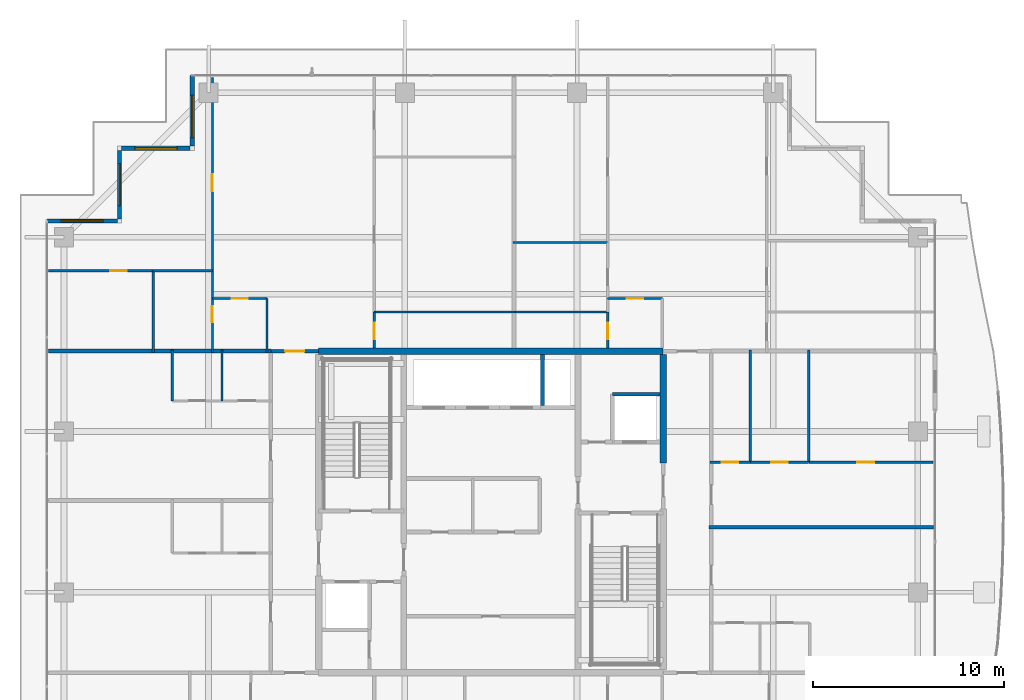
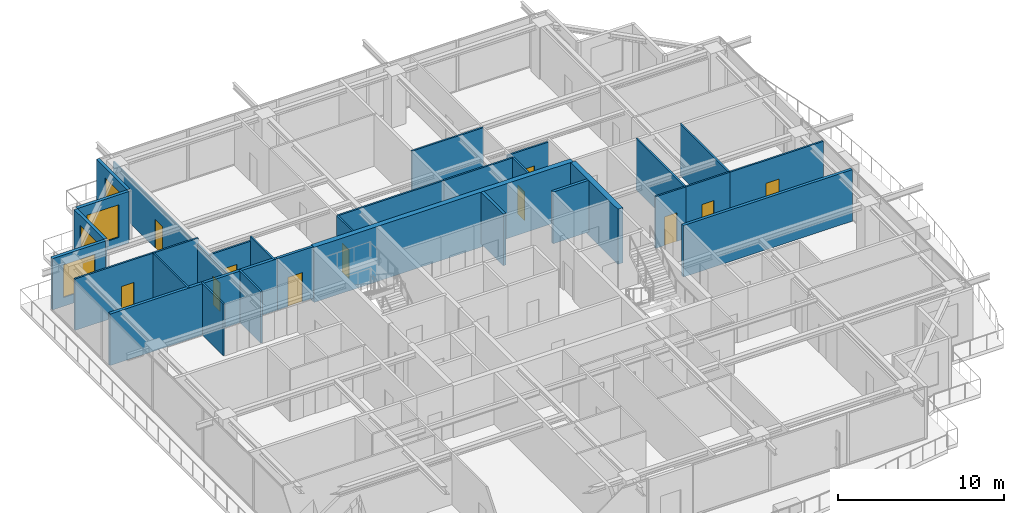
# One storey, part 34 of 42: 31 walls, 11 doors, 4 windows, 15 openings.
"""IFC4 building model written with IfcOpenShell, lengths in metres."""

from ifc_helpers import new_model, si_unit, direction, frame, frame_2d, origin, place, context, subcontext, project, spatial, rectangle, extrude, source, transform, mapped, material, layer, layer_set, type_object, element, fill, save


model = new_model("IFC4")

# Units and contexts
model_context = context("Model", 3, precision=1e-05, world=origin(), true_north=direction((0.0, 1.0)))
body_context = subcontext(model_context, "Body", "Model", "MODEL_VIEW")
ifc_project = project(units=[si_unit("LENGTHUNIT", "METRE"), si_unit("AREAUNIT", "SQUARE_METRE"), si_unit("VOLUMEUNIT", "CUBIC_METRE"), si_unit("PLANEANGLEUNIT", "RADIAN"), si_unit("MASSUNIT", "GRAM", prefix="KILO")], contexts=[model_context])

# Site, building, storey
site_placement = place(None, origin())
site = spatial("IfcSite", under=ifc_project, at=site_placement, CompositionType="ELEMENT")
building_placement = place(site_placement, origin())
building = spatial("IfcBuilding", under=site, at=building_placement, Name="Serunith Strait Residences", CompositionType="ELEMENT")
storey_placement = place(building_placement, frame((0.0, 0.0, 325.85009765625)))
storey = spatial("IfcBuildingStorey", under=building, at=storey_placement, Name="L81", CompositionType="ELEMENT", Elevation=325.85009765625)

# Wall, opening, window
ifc_material_1 = material(Name="Pale-Champagne Aluminium Insulated Panel", Category="aluminium")
ifc_layer_1 = layer(ifc_material_1, 0.219970703125, Name="Pale-Champagne Aluminium Insulated Panel")
ifc_layer_set_1 = layer_set([ifc_layer_1], Name="Pale-Champagne Aluminium Insulated Panel")
wall_type_1 = type_object("IfcWallType", Name="EW-ALUM-220", PredefinedType="ELEMENTEDWALL", material=ifc_layer_set_1)
wall_1_placement = place(storey_placement, frame((16.800048828125, 48.0, 0.0), z_axis=(0.0, 0.0, 1.0), x_axis=(0.0, -1.0, 0.0)))
wall_1 = element("IfcWall", 1, at=wall_1_placement, inside=storey, type_object=wall_type_1, Name="L81 Girih Serrated Corner Wall 12", PredefinedType="ELEMENTEDWALL", context=body_context, shape_type="SweptSolid", body=[
    extrude(rectangle(XDim=3.68994140625, YDim=0.219970703125, at=frame_2d((1.844970703125, 0.0))), origin(), (0.0, 0.0, 1.0), 3.77490234375),
])
opening_1_placement = place(wall_1_placement, frame((1.04296875, 0.0, 0.64990234375)))
opening_1 = element("IfcOpeningElement", 2, at=opening_1_placement, cuts=wall_1, Name="Opening W-06", PredefinedType="OPENING", context=body_context, shape_type="SweptSolid", body=[
    extrude(rectangle(XDim=2.199951171875, YDim=2.39990234375, at=frame_2d((1.10009765625, 1.199951171875))), frame((0.0, 0.1201171875, 0.0), z_axis=(0.0, -1.0, 0.0), x_axis=(1.0, 0.0, 0.0)), (0.0, 0.0, 1.0), 0.239990234375),
])
ifc_material_2 = material(Name="Crown Penthouse Low-E Operable Window Glass", Category="glass")
window_type = type_object("IfcWindowType", Name="WIN-C6", PartitioningType="TRIPLE_PANEL_VERTICAL", PredefinedType="WINDOW", material=ifc_material_2)
shared_shape_1 = source(origin(), body_context, "Body", "SweptSolid", [
    extrude(rectangle(XDim=2.199951171875, YDim=2.39990234375, at=frame_2d((1.10009765625, 1.199951171875))), frame((0.0, 0.030029296875, 0.0), z_axis=(0.0, -1.0, 0.0), x_axis=(1.0, 0.0, 0.0)), (0.0, 0.0, 1.0), 0.06005859375),
])
window_1_placement = place(opening_1_placement, origin())
window_1 = element("IfcWindow", 3, at=window_1_placement, inside=storey, type_object=window_type, Name="L81 Corner Operable Fritted Window 12", OverallHeight=2.39990234375, OverallWidth=2.199951171875, PartitioningType="SINGLE_PANEL", PredefinedType="WINDOW", context=body_context, shape_type="MappedRepresentation", body=[
    mapped(shared_shape_1, transform((0.0, 0.0, 0.0), scale=1.0)),
])
fill(opening_1, window_1)

wall_2_placement = place(storey_placement, frame((16.68994140625, 44.199951171875, 0.0), z_axis=(0.0, 0.0, 1.0), x_axis=(-1.0, 0.0, 0.0)))
wall_2 = element("IfcWall", 4, at=wall_2_placement, inside=storey, type_object=wall_type_1, Name="L81 Girih Serrated Corner Wall 13", PredefinedType="ELEMENTEDWALL", context=body_context, shape_type="SweptSolid", body=[
    extrude(rectangle(XDim=3.579833984375, YDim=0.219970703125, at=frame_2d((1.7900390625, 0.0))), origin(), (0.0, 0.0, 1.0), 3.77490234375),
])
opening_2_placement = place(wall_2_placement, frame((0.68994140625, 0.0, 0.64990234375)))
opening_2 = element("IfcOpeningElement", 5, at=opening_2_placement, cuts=wall_2, Name="Opening W-06", PredefinedType="OPENING", context=body_context, shape_type="SweptSolid", body=[
    extrude(rectangle(XDim=2.199951171875, YDim=2.39990234375, at=frame_2d((1.10009765625, 1.199951171875))), frame((0.0, 0.1201171875, 0.0), z_axis=(0.0, -1.0, 0.0), x_axis=(1.0, 0.0, 0.0)), (0.0, 0.0, 1.0), 0.239990234375),
])
window_2_placement = place(opening_2_placement, origin())
window_2 = element("IfcWindow", 6, at=window_2_placement, inside=storey, type_object=window_type, Name="L81 Corner Operable Fritted Window 13", OverallHeight=2.39990234375, OverallWidth=2.199951171875, PartitioningType="SINGLE_PANEL", PredefinedType="WINDOW", context=body_context, shape_type="MappedRepresentation", body=[
    mapped(shared_shape_1, transform((0.0, 0.0, 0.0), scale=1.0)),
])
fill(opening_2, window_2)

wall_3_placement = place(storey_placement, frame((13.0, 44.090087890625, 0.0), z_axis=(0.0, 0.0, 1.0), x_axis=(0.0, -1.0, 0.0)))
wall_3 = element("IfcWall", 7, at=wall_3_placement, inside=storey, type_object=wall_type_1, Name="L81 Girih Serrated Corner Wall 14", PredefinedType="ELEMENTEDWALL", context=body_context, shape_type="SweptSolid", body=[
    extrude(rectangle(XDim=3.580078125, YDim=0.219970703125, at=frame_2d((1.7900390625, 0.0))), origin(), (0.0, 0.0, 1.0), 3.77490234375),
])
opening_3_placement = place(wall_3_placement, frame((0.68994140625, 0.0, 0.64990234375)))
opening_3 = element("IfcOpeningElement", 8, at=opening_3_placement, cuts=wall_3, Name="Opening W-06", PredefinedType="OPENING", context=body_context, shape_type="SweptSolid", body=[
    extrude(rectangle(XDim=2.199951171875, YDim=2.39990234375, at=frame_2d((1.10009765625, 1.199951171875))), frame((0.0, 0.1201171875, 0.0), z_axis=(0.0, -1.0, 0.0), x_axis=(1.0, 0.0, 0.0)), (0.0, 0.0, 1.0), 0.239990234375),
])
window_3_placement = place(opening_3_placement, origin())
window_3 = element("IfcWindow", 9, at=window_3_placement, inside=storey, type_object=window_type, Name="L81 Corner Operable Fritted Window 14", OverallHeight=2.39990234375, OverallWidth=2.199951171875, PartitioningType="SINGLE_PANEL", PredefinedType="WINDOW", context=body_context, shape_type="MappedRepresentation", body=[
    mapped(shared_shape_1, transform((0.0, 0.0, 0.0), scale=1.0)),
])
fill(opening_3, window_3)

wall_4_placement = place(storey_placement, frame((12.889892578125, 40.39990234375, 0.0), z_axis=(0.0, 0.0, 1.0), x_axis=(-1.0, 0.0, 0.0)))
wall_4 = element("IfcWall", 10, at=wall_4_placement, inside=storey, type_object=wall_type_1, Name="L81 Girih Serrated Corner Wall 15", PredefinedType="ELEMENTEDWALL", context=body_context, shape_type="SweptSolid", body=[
    extrude(rectangle(XDim=3.68994140625, YDim=0.219970703125, at=frame_2d((1.844970703125, 0.0))), origin(), (0.0, 0.0, 1.0), 3.77490234375),
])
opening_4_placement = place(wall_4_placement, frame((0.7451171875, 0.0, 0.64990234375)))
opening_4 = element("IfcOpeningElement", 11, at=opening_4_placement, cuts=wall_4, Name="Opening W-06", PredefinedType="OPENING", context=body_context, shape_type="SweptSolid", body=[
    extrude(rectangle(XDim=2.199951171875, YDim=2.39990234375, at=frame_2d((1.10009765625, 1.199951171875))), frame((0.0, 0.1201171875, 0.0), z_axis=(0.0, -1.0, 0.0), x_axis=(1.0, 0.0, 0.0)), (0.0, 0.0, 1.0), 0.239990234375),
])
window_4_placement = place(opening_4_placement, origin())
window_4 = element("IfcWindow", 12, at=window_4_placement, inside=storey, type_object=window_type, Name="L81 Corner Operable Fritted Window 15", OverallHeight=2.39990234375, OverallWidth=2.199951171875, PartitioningType="SINGLE_PANEL", PredefinedType="WINDOW", context=body_context, shape_type="MappedRepresentation", body=[
    mapped(shared_shape_1, transform((0.0, 0.0, 0.0), scale=1.0)),
])
fill(opening_4, window_4)

# Wall, opening, door
ifc_material_3 = material(Name="Fire-rated acoustic gypsum partition")
ifc_layer_2 = layer(ifc_material_3, 0.179931640625, Name="Fire-rated acoustic gypsum partition")
ifc_layer_set_2 = layer_set([ifc_layer_2], Name="Fire-rated acoustic gypsum partition")
wall_type_2 = type_object("IfcWallType", Name="IW-CORR-180", PredefinedType="PARTITIONING", material=ifc_layer_set_2)
wall_5_placement = place(storey_placement, frame((20.902099609375, 33.60009765625, 0.0), z_axis=(0.0, 0.0, 1.0), x_axis=(1.0, 0.0, 0.0)))
wall_5 = element("IfcWall", 13, at=wall_5_placement, inside=storey, type_object=wall_type_2, Name="L81 Partition Wall 027", PredefinedType="PARTITIONING", context=body_context, shape_type="SweptSolid", body=[
    extrude(rectangle(XDim=2.495849609375, YDim=0.179931640625, at=frame_2d((1.248046875, 0.0))), origin(), (0.0, 0.0, 1.0), 3.789794921875),
])
opening_5_placement = place(wall_5_placement, frame((0.748046875, 0.0, 0.0)))
opening_5 = element("IfcOpeningElement", 14, at=opening_5_placement, cuts=wall_5, Name="Opening D-APT1000", PredefinedType="OPENING", context=body_context, shape_type="SweptSolid", body=[
    extrude(rectangle(XDim=1.0, YDim=2.14990234375, at=frame_2d((0.5, 1.074951171875))), frame((0.0, 0.10009765625, 0.0), z_axis=(0.0, -1.0, 0.0), x_axis=(1.0, 0.0, 0.0)), (0.0, 0.0, 1.0), 0.199951171875),
])
ifc_material_4 = material(Name="Solid timber engineered fire door", Category="wood")
door_type_1 = type_object("IfcDoorType", Name="ID-APT-1000", OperationType="NOTDEFINED", PredefinedType="DOOR", material=ifc_material_4)
shared_shape_2 = source(origin(), body_context, "Body", "SweptSolid", [
    extrude(rectangle(XDim=1.0, YDim=2.14990234375, at=frame_2d((0.5, 1.074951171875))), frame((0.0, 0.02490234375, 0.0), z_axis=(0.0, -1.0, 0.0), x_axis=(1.0, 0.0, 0.0)), (0.0, 0.0, 1.0), 0.050048828125),
])
door_1_placement = place(opening_5_placement, origin())
door_1 = element("IfcDoor", 15, at=door_1_placement, inside=storey, type_object=door_type_1, Name="L81 Unit 03 Entrance Door", OperationType="SINGLE_SWING_RIGHT", OverallHeight=2.14990234375, OverallWidth=1.0, PredefinedType="DOOR", context=body_context, shape_type="MappedRepresentation", body=[
    mapped(shared_shape_2, transform((0.0, 0.0, 0.0), scale=1.0)),
])
fill(opening_5, door_1)

ifc_material_5 = material(Name="Lightweight steel-stud gypsum partition", Category="steel")
ifc_layer_3 = layer(ifc_material_5, 0.1201171875, Name="Lightweight steel-stud gypsum partition")
ifc_layer_set_3 = layer_set([ifc_layer_3], Name="Lightweight steel-stud gypsum partition")
wall_type_3 = type_object("IfcWallType", Name="IW-PART-120", PredefinedType="PARTITIONING", material=ifc_layer_set_3)
wall_6_placement = place(storey_placement, frame((17.85009765625, 36.35009765625, 0.0), z_axis=(0.0, 0.0, 1.0), x_axis=(1.0, 0.0, 0.0)))
wall_6 = element("IfcWall", 16, at=wall_6_placement, inside=storey, type_object=wall_type_3, Name="L81 Partition Wall 061", PredefinedType="PARTITIONING", context=body_context, shape_type="SweptSolid", body=[
    extrude(rectangle(XDim=2.849853515625, YDim=0.1201171875, at=frame_2d((1.4248046875, 0.0))), origin(), (0.0, 0.0, 1.0), 3.471923828125),
])
opening_6_placement = place(wall_6_placement, frame((1.0, 0.0, 0.0)))
opening_6 = element("IfcOpeningElement", 17, at=opening_6_placement, cuts=wall_6, Name="Opening D-RM850", PredefinedType="OPENING", context=body_context, shape_type="SweptSolid", body=[
    extrude(rectangle(XDim=0.85009765625, YDim=2.10009765625, at=frame_2d((0.425048828125, 1.050048828125))), frame((0.0, 0.070068359375, 0.0), z_axis=(0.0, -1.0, 0.0), x_axis=(1.0, 0.0, 0.0)), (0.0, 0.0, 1.0), 0.14013671875),
])
ifc_material_6 = material(Name="Engineered timber flush study and kitchen door", Category="wood")
door_type_2 = type_object("IfcDoorType", Name="ID-ROOM-850", OperationType="NOTDEFINED", PredefinedType="DOOR", material=ifc_material_6)
shared_shape_3 = source(origin(), body_context, "Body", "SweptSolid", [
    extrude(rectangle(XDim=0.85009765625, YDim=2.10009765625, at=frame_2d((0.425048828125, 1.050048828125))), frame((0.0, 0.02490234375, 0.0), z_axis=(0.0, -1.0, 0.0), x_axis=(1.0, 0.0, 0.0)), (0.0, 0.0, 1.0), 0.050048828125),
])
door_2_placement = place(opening_6_placement, origin())
door_2 = element("IfcDoor", 18, at=door_2_placement, inside=storey, type_object=door_type_2, Name="L81 Kitchen 8103 Door", OperationType="SINGLE_SWING_RIGHT", OverallHeight=2.10009765625, OverallWidth=0.85009765625, PredefinedType="DOOR", context=body_context, shape_type="MappedRepresentation", body=[
    mapped(shared_shape_3, transform((0.0, 0.0, 0.0), scale=1.0)),
])
fill(opening_6, door_2)

# Wall
wall_7_placement = place(storey_placement, frame((20.699951171875, 36.35009765625, 0.0), z_axis=(0.0, 0.0, 1.0), x_axis=(0.0, -1.0, 0.0)))
element("IfcWall", 19, at=wall_7_placement, inside=storey, type_object=wall_type_3, Name="L81 Partition Wall 062", PredefinedType="PARTITIONING", context=body_context, shape_type="SweptSolid", body=[
    extrude(rectangle(XDim=2.81005859375, YDim=0.1201171875, at=frame_2d((1.405029296875, 0.0))), origin(), (0.0, 0.0, 1.0), 3.789794921875),
])

# Wall, opening, door
wall_8_placement = place(storey_placement, frame((17.85009765625, 47.905029296875, 0.0), z_axis=(0.0, 0.0, 1.0), x_axis=(0.0, -1.0, 0.0)))
wall_8 = element("IfcWall", 20, at=wall_8_placement, inside=storey, type_object=wall_type_3, Name="L81 Partition Wall 063", PredefinedType="PARTITIONING", context=body_context, shape_type="SweptSolid", body=[
    extrude(rectangle(XDim=10.09814453125, YDim=0.1201171875, at=frame_2d((5.049072265625, 0.0))), origin(), (0.0, 0.0, 1.0), 3.2919921875),
])
opening_7_placement = place(wall_8_placement, frame((5.05908203125, 0.0, 0.0)))
opening_7 = element("IfcOpeningElement", 21, at=opening_7_placement, cuts=wall_8, Name="Opening D-RM900", PredefinedType="OPENING", context=body_context, shape_type="SweptSolid", body=[
    extrude(rectangle(XDim=0.89990234375, YDim=2.10009765625, at=frame_2d((0.449951171875, 1.050048828125))), frame((0.0, 0.070068359375, 0.0), z_axis=(0.0, -1.0, 0.0), x_axis=(1.0, 0.0, 0.0)), (0.0, 0.0, 1.0), 0.14013671875),
])
ifc_material_7 = material(Name="Engineered timber flush bedroom door", Category="wood")
door_type_3 = type_object("IfcDoorType", Name="ID-ROOM-900", OperationType="NOTDEFINED", PredefinedType="DOOR", material=ifc_material_7)
shared_shape_4 = source(origin(), body_context, "Body", "SweptSolid", [
    extrude(rectangle(XDim=0.89990234375, YDim=2.10009765625, at=frame_2d((0.449951171875, 1.050048828125))), frame((0.0, 0.02490234375, 0.0), z_axis=(0.0, -1.0, 0.0), x_axis=(1.0, 0.0, 0.0)), (0.0, 0.0, 1.0), 0.050048828125),
])
door_3_placement = place(opening_7_placement, origin())
door_3 = element("IfcDoor", 22, at=door_3_placement, inside=storey, type_object=door_type_3, Name="L81 Master Bedroom 1 8103 Door", OperationType="SINGLE_SWING_LEFT", OverallHeight=2.10009765625, OverallWidth=0.89990234375, PredefinedType="DOOR", context=body_context, shape_type="MappedRepresentation", body=[
    mapped(shared_shape_4, transform((0.0, 0.0, 0.0), scale=1.0)),
])
fill(opening_7, door_3)

wall_9_placement = place(storey_placement, frame((9.294921875, 37.806884765625, 0.0), z_axis=(0.0, 0.0, 1.0), x_axis=(1.0, 0.0, 0.0)))
wall_9 = element("IfcWall", 23, at=wall_9_placement, inside=storey, type_object=wall_type_3, Name="L81 Partition Wall 064", PredefinedType="PARTITIONING", context=body_context, shape_type="SweptSolid", body=[
    extrude(rectangle(XDim=5.455078125, YDim=0.1201171875, at=frame_2d((2.7275390625, 0.0))), origin(), (0.0, 0.0, 1.0), 3.789794921875),
])
opening_8_placement = place(wall_9_placement, frame((3.22412109375, 0.0, 0.0)))
opening_8 = element("IfcOpeningElement", 24, at=opening_8_placement, cuts=wall_9, Name="Opening D-RM850", PredefinedType="OPENING", context=body_context, shape_type="SweptSolid", body=[
    extrude(rectangle(XDim=0.85009765625, YDim=2.10009765625, at=frame_2d((0.425048828125, 1.050048828125))), frame((0.0, 0.070068359375, 0.0), z_axis=(0.0, -1.0, 0.0), x_axis=(1.0, 0.0, 0.0)), (0.0, 0.0, 1.0), 0.14013671875),
])
door_4_placement = place(opening_8_placement, origin())
door_4 = element("IfcDoor", 25, at=door_4_placement, inside=storey, type_object=door_type_2, Name="L81 Wardrobe 8103 Door", OperationType="SINGLE_SWING_RIGHT", OverallHeight=2.10009765625, OverallWidth=0.85009765625, PredefinedType="DOOR", context=body_context, shape_type="MappedRepresentation", body=[
    mapped(shared_shape_3, transform((0.0, 0.0, 0.0), scale=1.0)),
])
fill(opening_8, door_4)

# Walls
wall_10_placement = place(storey_placement, frame((14.751953125, 37.806884765625, 0.0), z_axis=(0.0, 0.0, 1.0), x_axis=(1.0, 0.0, 0.0)))
element("IfcWall", 26, at=wall_10_placement, inside=storey, type_object=wall_type_3, Name="L81 Partition Wall 065", PredefinedType="PARTITIONING", context=body_context, shape_type="SweptSolid", body=[
    extrude(rectangle(XDim=3.09814453125, YDim=0.1201171875, at=frame_2d((1.549072265625, 0.0))), origin(), (0.0, 0.0, 1.0), 3.789794921875),
])
wall_11_placement = place(storey_placement, frame((14.75, 37.806884765625, 0.0), z_axis=(0.0, 0.0, 1.0), x_axis=(0.0, -1.0, 0.0)))
element("IfcWall", 27, at=wall_11_placement, inside=storey, type_object=wall_type_3, Name="L81 Partition Wall 066", PredefinedType="PARTITIONING", context=body_context, shape_type="SweptSolid", body=[
    extrude(rectangle(XDim=4.266845703125, YDim=0.1201171875, at=frame_2d((2.13330078125, 0.0))), origin(), (0.0, 0.0, 1.0), 3.789794921875),
])

# Wall, opening, door
wall_12_placement = place(storey_placement, frame((17.85009765625, 37.804931640625, 0.0), z_axis=(0.0, 0.0, 1.0), x_axis=(0.0, -1.0, 0.0)))
wall_12 = element("IfcWall", 28, at=wall_12_placement, inside=storey, type_object=wall_type_3, Name="L81 Partition Wall 067", PredefinedType="PARTITIONING", context=body_context, shape_type="SweptSolid", body=[
    extrude(rectangle(XDim=4.264892578125, YDim=0.1201171875, at=frame_2d((2.13232421875, 0.0))), origin(), (0.0, 0.0, 1.0), 3.371826171875),
])
opening_9_placement = place(wall_12_placement, frame((1.847900390625, 0.0, 0.0)))
opening_9 = element("IfcOpeningElement", 29, at=opening_9_placement, cuts=wall_12, Name="Opening D-BTH850", PredefinedType="OPENING", context=body_context, shape_type="SweptSolid", body=[
    extrude(rectangle(XDim=0.85009765625, YDim=2.10009765625, at=frame_2d((0.425048828125, 1.050048828125))), frame((0.0, 0.070068359375, 0.0), z_axis=(0.0, -1.0, 0.0), x_axis=(1.0, 0.0, 0.0)), (0.0, 0.0, 1.0), 0.14013671875),
])
ifc_material_8 = material(Name="Moisture-resistant timber bathroom door", Category="wood")
door_type_4 = type_object("IfcDoorType", Name="ID-BATH-850", OperationType="NOTDEFINED", PredefinedType="DOOR", material=ifc_material_8)
door_5_placement = place(opening_9_placement, origin())
door_5 = element("IfcDoor", 30, at=door_5_placement, inside=storey, type_object=door_type_4, Name="L81 Bathroom 8103 Door", OperationType="SINGLE_SWING_LEFT", OverallHeight=2.10009765625, OverallWidth=0.85009765625, PredefinedType="DOOR", context=body_context, shape_type="MappedRepresentation", body=[
    mapped(shared_shape_3, transform((0.0, 0.0, 0.0), scale=1.0)),
])
fill(opening_9, door_5)

# Wall
wall_13_placement = place(storey_placement, frame((26.300048828125, 35.64990234375, 0.0), z_axis=(0.0, 0.0, 1.0), x_axis=(1.0, 0.0, 0.0)))
element("IfcWall", 31, at=wall_13_placement, inside=storey, type_object=wall_type_3, Name="L81 Partition Wall 070", PredefinedType="PARTITIONING", context=body_context, shape_type="SweptSolid", body=[
    extrude(rectangle(XDim=7.35986328125, YDim=0.1201171875, at=frame_2d((3.679931640625, 0.0))), origin(), (0.0, 0.0, 1.0), 3.789794921875),
])

# Wall, opening, door
wall_14_placement = place(storey_placement, frame((26.300048828125, 35.64794921875, 0.0), z_axis=(0.0, 0.0, 1.0), x_axis=(0.0, -1.0, 0.0)))
wall_14 = element("IfcWall", 32, at=wall_14_placement, inside=storey, type_object=wall_type_3, Name="L81 Partition Wall 072", PredefinedType="PARTITIONING", context=body_context, shape_type="SweptSolid", body=[
    extrude(rectangle(XDim=1.873046875, YDim=0.1201171875, at=frame_2d((0.9365234375, 0.0))), origin(), (0.0, 0.0, 1.0), 3.789794921875),
])
opening_10_placement = place(wall_14_placement, frame((0.574951171875, 0.0, 0.0)))
opening_10 = element("IfcOpeningElement", 33, at=opening_10_placement, cuts=wall_14, Name="Opening D-BTH850", PredefinedType="OPENING", context=body_context, shape_type="SweptSolid", body=[
    extrude(rectangle(XDim=0.85009765625, YDim=2.10009765625, at=frame_2d((0.425048828125, 1.050048828125))), frame((0.0, 0.070068359375, 0.0), z_axis=(0.0, -1.0, 0.0), x_axis=(1.0, 0.0, 0.0)), (0.0, 0.0, 1.0), 0.14013671875),
])
door_6_placement = place(opening_10_placement, origin())
door_6 = element("IfcDoor", 34, at=door_6_placement, inside=storey, type_object=door_type_4, Name="L81 Bathroom 8103 Door", OperationType="SINGLE_SWING_RIGHT", OverallHeight=2.10009765625, OverallWidth=0.85009765625, PredefinedType="DOOR", context=body_context, shape_type="MappedRepresentation", body=[
    mapped(shared_shape_3, transform((0.0, 0.0, 0.0), scale=1.0)),
])
fill(opening_10, door_6)

wall_15_placement = place(storey_placement, frame((38.5, 36.35009765625, 0.0), z_axis=(0.0, 0.0, 1.0), x_axis=(1.0, 0.0, 0.0)))
wall_15 = element("IfcWall", 35, at=wall_15_placement, inside=storey, type_object=wall_type_3, Name="L81 Partition Wall 073", PredefinedType="PARTITIONING", context=body_context, shape_type="SweptSolid", body=[
    extrude(rectangle(XDim=2.85009765625, YDim=0.1201171875, at=frame_2d((1.425048828125, 0.0))), origin(), (0.0, 0.0, 1.0), 3.511962890625),
])
opening_11_placement = place(wall_15_placement, frame((1.0, 0.0, 0.0)))
opening_11 = element("IfcOpeningElement", 36, at=opening_11_placement, cuts=wall_15, Name="Opening D-RM850", PredefinedType="OPENING", context=body_context, shape_type="SweptSolid", body=[
    extrude(rectangle(XDim=0.85009765625, YDim=2.10009765625, at=frame_2d((0.425048828125, 1.050048828125))), frame((0.0, 0.070068359375, 0.0), z_axis=(0.0, -1.0, 0.0), x_axis=(1.0, 0.0, 0.0)), (0.0, 0.0, 1.0), 0.14013671875),
])
door_7_placement = place(opening_11_placement, origin())
door_7 = element("IfcDoor", 37, at=door_7_placement, inside=storey, type_object=door_type_2, Name="L81 Kitchen 8104 Door", OperationType="SINGLE_SWING_LEFT", OverallHeight=2.10009765625, OverallWidth=0.85009765625, PredefinedType="DOOR", context=body_context, shape_type="MappedRepresentation", body=[
    mapped(shared_shape_3, transform((0.0, 0.0, 0.0), scale=1.0)),
])
fill(opening_11, door_7)

# Walls
wall_16_placement = place(storey_placement, frame((33.5400390625, 39.27587890625, 0.0), z_axis=(0.0, 0.0, 1.0), x_axis=(1.0, 0.0, 0.0)))
element("IfcWall", 38, at=wall_16_placement, inside=storey, type_object=wall_type_3, Name="L81 Partition Wall 076", PredefinedType="PARTITIONING", context=body_context, shape_type="SweptSolid", body=[
    extrude(rectangle(XDim=4.9599609375, YDim=0.1201171875, at=frame_2d((2.47998046875, 0.0))), origin(), (0.0, 0.0, 1.0), 3.789794921875),
])
wall_17_placement = place(storey_placement, frame((33.662109375, 35.64990234375, 0.0), z_axis=(0.0, 0.0, 1.0), x_axis=(1.0, 0.0, 0.0)))
element("IfcWall", 39, at=wall_17_placement, inside=storey, type_object=wall_type_3, Name="L81 Partition Wall 077", PredefinedType="PARTITIONING", context=body_context, shape_type="SweptSolid", body=[
    extrude(rectangle(XDim=4.837890625, YDim=0.1201171875, at=frame_2d((2.4189453125, 0.0))), origin(), (0.0, 0.0, 1.0), 3.789794921875),
])

# Wall, opening, door
wall_18_placement = place(storey_placement, frame((38.5, 35.64794921875, 0.0), z_axis=(0.0, 0.0, 1.0), x_axis=(0.0, -1.0, 0.0)))
wall_18 = element("IfcWall", 40, at=wall_18_placement, inside=storey, type_object=wall_type_3, Name="L81 Partition Wall 079", PredefinedType="PARTITIONING", context=body_context, shape_type="SweptSolid", body=[
    extrude(rectangle(XDim=1.873046875, YDim=0.1201171875, at=frame_2d((0.9365234375, 0.0))), origin(), (0.0, 0.0, 1.0), 3.789794921875),
])
opening_12_placement = place(wall_18_placement, frame((0.574951171875, 0.0, 0.0)))
opening_12 = element("IfcOpeningElement", 41, at=opening_12_placement, cuts=wall_18, Name="Opening D-BTH850", PredefinedType="OPENING", context=body_context, shape_type="SweptSolid", body=[
    extrude(rectangle(XDim=0.85009765625, YDim=2.10009765625, at=frame_2d((0.425048828125, 1.050048828125))), frame((0.0, 0.070068359375, 0.0), z_axis=(0.0, -1.0, 0.0), x_axis=(1.0, 0.0, 0.0)), (0.0, 0.0, 1.0), 0.14013671875),
])
door_8_placement = place(opening_12_placement, origin())
door_8 = element("IfcDoor", 42, at=door_8_placement, inside=storey, type_object=door_type_4, Name="L81 Bathroom 8104 Door", OperationType="SINGLE_SWING_RIGHT", OverallHeight=2.10009765625, OverallWidth=0.85009765625, PredefinedType="DOOR", context=body_context, shape_type="MappedRepresentation", body=[
    mapped(shared_shape_3, transform((0.0, 0.0, 0.0), scale=1.0)),
])
fill(opening_12, door_8)

# Walls
for number, where, z_axis, x_axis, name in (
    (43, (18.35009765625, 31.0, 0.0), (0.0, 0.0, 1.0), (0.0, 1.0, 0.0), "L81 Partition Wall 091"),
    (44, (15.75, 31.0, 0.0), (0.0, 0.0, 1.0), (0.0, 1.0, 0.0), "L81 Partition Wall 092"),
):
    element("IfcWall", number, at=place(storey_placement, frame(where, z_axis=z_axis, x_axis=x_axis)), inside=storey, type_object=wall_type_3, Name=name, PredefinedType="PARTITIONING", context=body_context, shape_type="SweptSolid", body=[
        extrude(rectangle(XDim=2.659912109375, YDim=0.1201171875, at=frame_2d((1.330078125, 0.0))), origin(), (0.0, 0.0, 1.0), 3.789794921875),
    ])

# Wall, opening, door
wall_19_placement = place(storey_placement, frame((55.5048828125, 27.800048828125, 0.0), z_axis=(0.0, 0.0, 1.0), x_axis=(-1.0, 0.0, 0.0)))
wall_19 = element("IfcWall", 45, at=wall_19_placement, inside=storey, type_object=wall_type_3, Name="L81 Partition Wall 097", PredefinedType="PARTITIONING", context=body_context, shape_type="SweptSolid", body=[
    extrude(rectangle(XDim=6.501953125, YDim=0.1201171875, at=frame_2d((3.2509765625, 0.0))), origin(), (0.0, 0.0, 1.0), 3.789794921875),
])
opening_13_placement = place(wall_19_placement, frame((3.0810546875, 0.0, 0.0)))
opening_13 = element("IfcOpeningElement", 46, at=opening_13_placement, cuts=wall_19, Name="Opening D-RM900", PredefinedType="OPENING", context=body_context, shape_type="SweptSolid", body=[
    extrude(rectangle(XDim=0.89990234375, YDim=2.10009765625, at=frame_2d((0.449951171875, 1.050048828125))), frame((0.0, 0.070068359375, 0.0), z_axis=(0.0, -1.0, 0.0), x_axis=(1.0, 0.0, 0.0)), (0.0, 0.0, 1.0), 0.14013671875),
])
door_9_placement = place(opening_13_placement, origin())
door_9 = element("IfcDoor", 47, at=door_9_placement, inside=storey, type_object=door_type_3, Name="L81 Master Bedroom 1 8108 Door", OperationType="SINGLE_SWING_RIGHT", OverallHeight=2.10009765625, OverallWidth=0.89990234375, PredefinedType="DOOR", context=body_context, shape_type="MappedRepresentation", body=[
    mapped(shared_shape_4, transform((0.0, 0.0, 0.0), scale=1.0)),
])
fill(opening_13, door_9)

# Walls
for number, where, z_axis, x_axis, name in (
    (48, (49.0029296875, 27.800048828125, 0.0), (0.0, 0.0, 1.0), (0.0, 1.0, 0.0), "L81 Partition Wall 098"),
    (49, (45.949951171875, 27.800048828125, 0.0), (0.0, 0.0, 1.0), (0.0, 1.0, 0.0), "L81 Partition Wall 099"),
):
    element("IfcWall", number, at=place(storey_placement, frame(where, z_axis=z_axis, x_axis=x_axis)), inside=storey, type_object=wall_type_3, Name=name, PredefinedType="PARTITIONING", context=body_context, shape_type="SweptSolid", body=[
        extrude(rectangle(XDim=5.85986328125, YDim=0.1201171875, at=frame_2d((2.929931640625, 0.0))), origin(), (0.0, 0.0, 1.0), 3.789794921875),
    ])

# Wall, opening, door
wall_20_placement = place(storey_placement, frame((49.0009765625, 27.800048828125, 0.0), z_axis=(0.0, 0.0, 1.0), x_axis=(-1.0, 0.0, 0.0)))
wall_20 = element("IfcWall", 50, at=wall_20_placement, inside=storey, type_object=wall_type_3, Name="L81 Partition Wall 100", PredefinedType="PARTITIONING", context=body_context, shape_type="SweptSolid", body=[
    extrude(rectangle(XDim=3.051025390625, YDim=0.1201171875, at=frame_2d((1.525390625, 0.0))), origin(), (0.0, 0.0, 1.0), 3.789794921875),
])
opening_14_placement = place(wall_20_placement, frame((1.10009765625, 0.0, 0.0)))
opening_14 = element("IfcOpeningElement", 51, at=opening_14_placement, cuts=wall_20, Name="Opening D-RM850", PredefinedType="OPENING", context=body_context, shape_type="SweptSolid", body=[
    extrude(rectangle(XDim=0.85009765625, YDim=2.10009765625, at=frame_2d((0.425048828125, 1.050048828125))), frame((0.0, 0.070068359375, 0.0), z_axis=(0.0, -1.0, 0.0), x_axis=(1.0, 0.0, 0.0)), (0.0, 0.0, 1.0), 0.14013671875),
])
door_10_placement = place(opening_14_placement, origin())
door_10 = element("IfcDoor", 52, at=door_10_placement, inside=storey, type_object=door_type_2, Name="L81 Kitchen 8108 Door", OperationType="SINGLE_SWING_LEFT", OverallHeight=2.10009765625, OverallWidth=0.85009765625, PredefinedType="DOOR", context=body_context, shape_type="MappedRepresentation", body=[
    mapped(shared_shape_3, transform((0.0, 0.0, 0.0), scale=1.0)),
])
fill(opening_14, door_10)

wall_21_placement = place(storey_placement, frame((45.947998046875, 27.800048828125, 0.0), z_axis=(0.0, 0.0, 1.0), x_axis=(-1.0, 0.0, 0.0)))
wall_21 = element("IfcWall", 53, at=wall_21_placement, inside=storey, type_object=wall_type_3, Name="L81 Partition Wall 101", PredefinedType="PARTITIONING", context=body_context, shape_type="SweptSolid", body=[
    extrude(rectangle(XDim=2.10791015625, YDim=0.1201171875, at=frame_2d((1.053955078125, 0.0))), origin(), (0.0, 0.0, 1.0), 3.789794921875),
])
opening_15_placement = place(wall_21_placement, frame((0.62890625, 0.0, 0.0)))
opening_15 = element("IfcOpeningElement", 54, at=opening_15_placement, cuts=wall_21, Name="Opening D-BTH850", PredefinedType="OPENING", context=body_context, shape_type="SweptSolid", body=[
    extrude(rectangle(XDim=0.85009765625, YDim=2.10009765625, at=frame_2d((0.425048828125, 1.050048828125))), frame((0.0, 0.070068359375, 0.0), z_axis=(0.0, -1.0, 0.0), x_axis=(1.0, 0.0, 0.0)), (0.0, 0.0, 1.0), 0.14013671875),
])
door_11_placement = place(opening_15_placement, origin())
door_11 = element("IfcDoor", 55, at=door_11_placement, inside=storey, type_object=door_type_4, Name="L81 Bathroom 8108 Door", OperationType="SINGLE_SWING_RIGHT", OverallHeight=2.10009765625, OverallWidth=0.85009765625, PredefinedType="DOOR", context=body_context, shape_type="MappedRepresentation", body=[
    mapped(shared_shape_3, transform((0.0, 0.0, 0.0), scale=1.0)),
])
fill(opening_15, door_11)

# Walls
ifc_material_9 = material(Name="Twin-stud acoustic gypsum board partition")
ifc_layer_4 = layer(ifc_material_9, 0.199951171875, Name="Twin-stud acoustic gypsum board partition")
ifc_layer_set_4 = layer_set([ifc_layer_4], Name="Twin-stud acoustic gypsum board partition")
wall_type_4 = type_object("IfcWallType", Name="IW-PARTY-200", PredefinedType="PARTITIONING", material=ifc_layer_set_4)
wall_22_placement = place(storey_placement, frame((43.780029296875, 24.39990234375, 0.0), z_axis=(0.0, 0.0, 1.0), x_axis=(1.0, 0.0, 0.0)))
element("IfcWall", 56, at=wall_22_placement, inside=storey, type_object=wall_type_4, Name="L81 Partition Wall 021", PredefinedType="PARTITIONING", context=body_context, shape_type="SweptSolid", body=[
    extrude(rectangle(XDim=11.738037109375, YDim=0.199951171875, at=frame_2d((5.869140625, 0.0))), origin(), (0.0, 0.0, 1.0), 3.789794921875),
])
wall_23_placement = place(storey_placement, frame((9.281982421875, 33.60009765625, 0.0), z_axis=(0.0, 0.0, 1.0), x_axis=(1.0, 0.0, 0.0)))
element("IfcWall", 57, at=wall_23_placement, inside=storey, type_object=wall_type_4, Name="L81 Partition Wall 024", PredefinedType="PARTITIONING", context=body_context, shape_type="SweptSolid", body=[
    extrude(rectangle(XDim=11.617919921875, YDim=0.199951171875, at=frame_2d((5.80908203125, 0.0))), origin(), (0.0, 0.0, 1.0), 3.789794921875),
])
ifc_material_10 = material(Name="Autoclaved aerated concrete blockwork", Category="masonry")
ifc_layer_5 = layer(ifc_material_10, 0.199951171875, Name="Autoclaved aerated concrete blockwork")
ifc_layer_set_5 = layer_set([ifc_layer_5], Name="Autoclaved aerated concrete blockwork")
wall_type_5 = type_object("IfcWallType", Name="IW-SHAFT-200", PredefinedType="STANDARD", material=ifc_layer_set_5)
wall_24_placement = place(storey_placement, frame((35.10009765625, 30.75, 0.0), z_axis=(0.0, 0.0, 1.0), x_axis=(0.0, 1.0, 0.0)))
element("IfcWall", 58, at=wall_24_placement, inside=storey, type_object=wall_type_5, Name="L81 SL-1 West Shaft Wall", PredefinedType="STANDARD", context=body_context, shape_type="SweptSolid", body=[
    extrude(rectangle(XDim=2.675048828125, YDim=0.199951171875, at=frame_2d((1.33740234375, 0.0))), origin(), (0.0, 0.0, 1.0), 3.789794921875),
])
wall_25_placement = place(storey_placement, frame((38.75, 31.35009765625, 0.0), z_axis=(0.0, 0.0, 1.0), x_axis=(1.0, 0.0, 0.0)))
element("IfcWall", 59, at=wall_25_placement, inside=storey, type_object=wall_type_5, Name="L81 Partition Wall 005", PredefinedType="STANDARD", context=body_context, shape_type="SweptSolid", body=[
    extrude(rectangle(XDim=2.47509765625, YDim=0.199951171875, at=frame_2d((1.237548828125, 0.0))), origin(), (0.0, 0.0, 1.0), 3.789794921875),
])
ifc_material_11 = material(Name="Concrete C60/75", Category="concrete")
ifc_layer_6 = layer(ifc_material_11, 0.35009765625, Name="Concrete C60/75")
ifc_layer_set_6 = layer_set([ifc_layer_6], Name="Concrete C60/75")
wall_type_6 = type_object("IfcWallType", Name="SW-350-C60", PredefinedType="SHEAR", material=ifc_layer_set_6)
wall_26_placement = place(storey_placement, frame((41.39990234375, 33.60009765625, -0.260009765625), z_axis=(0.0, 0.0, 1.0), x_axis=(-1.0, 0.0, 0.0)))
element("IfcWall", 60, at=wall_26_placement, inside=storey, type_object=wall_type_6, Name="L81 Core North Shear Wall", PredefinedType="SHEAR", context=body_context, shape_type="SweptSolid", body=[
    extrude(rectangle(XDim=18.0, YDim=0.35009765625, at=frame_2d((9.0, 0.0))), origin(), (0.0, 0.0, 1.0), 4.0478515625),
])
wall_27_placement = place(storey_placement, frame((41.39990234375, 27.75, -0.260009765625), z_axis=(0.0, 0.0, 1.0), x_axis=(0.0, 1.0, 0.0)))
element("IfcWall", 61, at=wall_27_placement, inside=storey, type_object=wall_type_6, Name="L81 Core East Shear Wall North Pier", PredefinedType="SHEAR", context=body_context, shape_type="SweptSolid", body=[
    extrude(rectangle(XDim=5.675048828125, YDim=0.35009765625, at=frame_2d((2.83740234375, 0.0))), origin(), (0.0, 0.0, 1.0), 4.0478515625),
])

save(model, "model.ifc")
